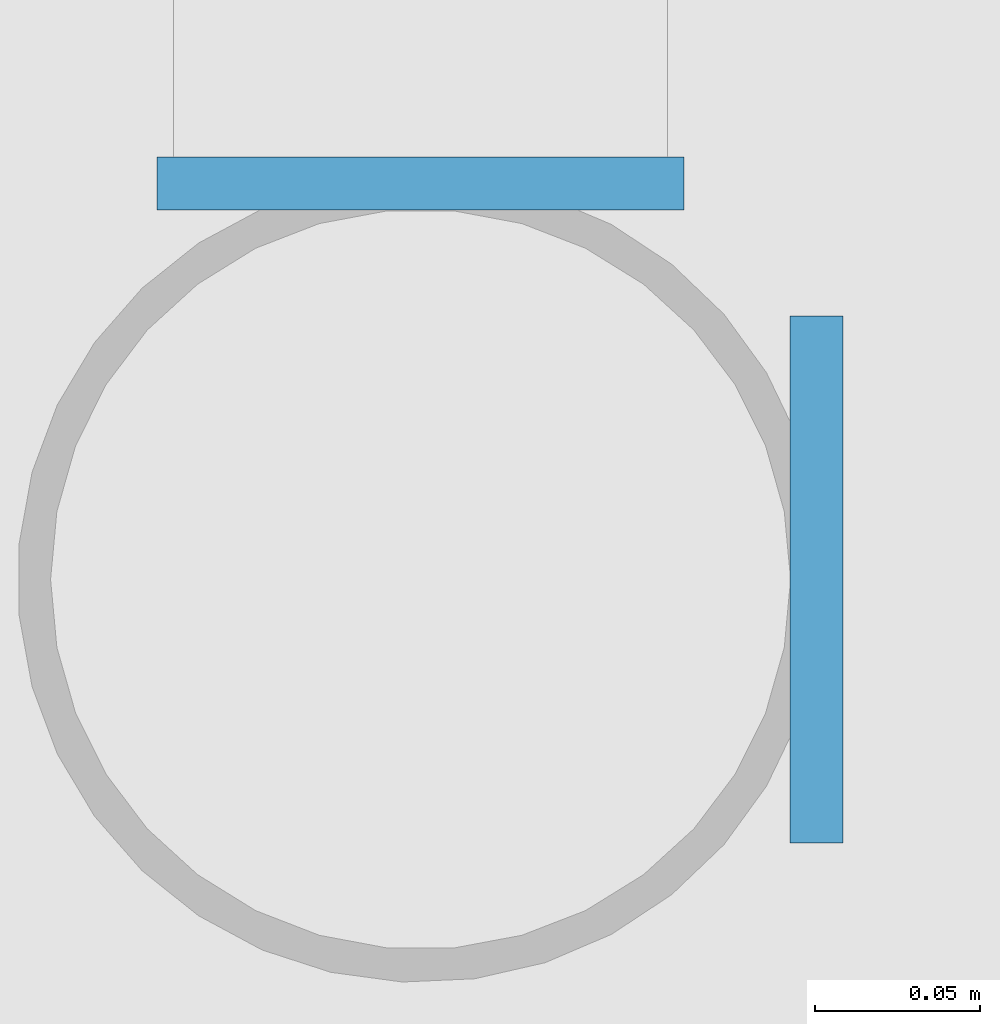
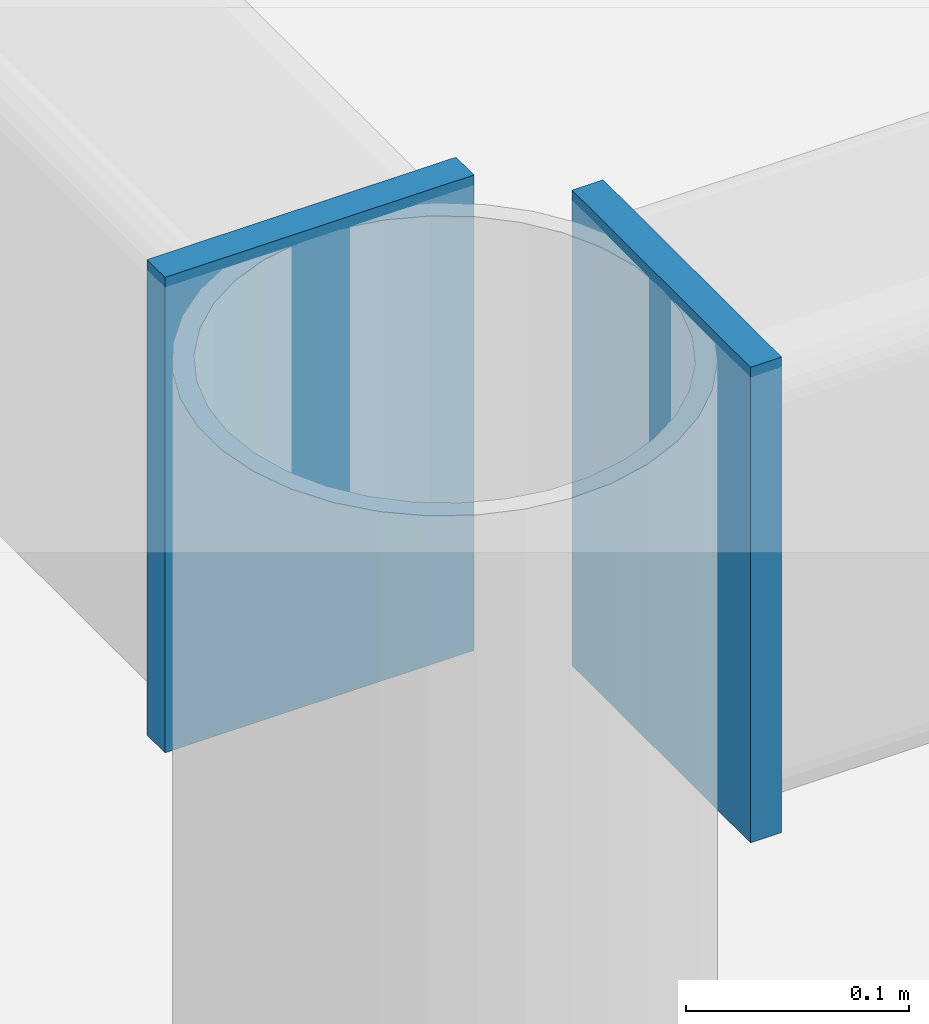
# One storey, part 45 of 76: 2 plates.
"""IFC4 building model written with IfcOpenShell, lengths in metres."""

from ifc_helpers import new_model, si_unit, direction, frame, origin, origin_2d, place, context, subcontext, project, spatial, rectangle, extrude, material, layer, layer_set, type_object, element, save


model = new_model("IFC4")

# Units and contexts
model_context = context("Model", 3, precision=1e-05, world=origin(), true_north=direction((0.0, 1.0)))
body_context = subcontext(model_context, "Body", "Model", "MODEL_VIEW")
ifc_project = project(units=[si_unit("LENGTHUNIT", "METRE"), si_unit("AREAUNIT", "SQUARE_METRE"), si_unit("VOLUMEUNIT", "CUBIC_METRE"), si_unit("PLANEANGLEUNIT", "RADIAN"), si_unit("MASSUNIT", "GRAM", prefix="KILO")], contexts=[model_context])

# Site, building, storey
site_placement = place(None, origin())
site = spatial("IfcSite", under=ifc_project, at=site_placement, CompositionType="ELEMENT")
building_placement = place(site_placement, origin())
building = spatial("IfcBuilding", under=site, at=building_placement, Name="Bozkorgan Art Gallery", CompositionType="ELEMENT")
storey_placement = place(building_placement, origin())
storey = spatial("IfcBuildingStorey", under=building, at=storey_placement, Name="L00", CompositionType="ELEMENT", Elevation=0.0)

# Plates
ifc_material = material(Name="Steel S355J2", Category="steel")
ifc_layer = layer(ifc_material, 0.01611328125, Name="Steel S355J2")
ifc_layer_set = layer_set([ifc_layer], Name="Steel S355J2")
plate_type = type_object("IfcPlateType", Name="PLATE-EC-14", PredefinedType="USERDEFINED", material=ifc_layer_set)
for number, where, z_axis, x_axis, name in (
    (1, (49.1201171875, 95.14990234375, 4.044921875), (0.0, 0.0, 1.0), (1.0, 0.0, 0.0), "North Sculpture-Court Covered Walk chord end cap 1.1"),
    (2, (49.0, 95.27001953125, 4.044921875), (0.0, 0.0, 1.0), (0.0, -1.0, 0.0), "North Sculpture-Court Covered Walk chord end cap 4.2"),
):
    element("IfcPlate", number, at=place(storey_placement, frame(where, z_axis=z_axis, x_axis=x_axis)), inside=storey, type_object=plate_type, Name=name, ObjectType="END CAP PLATE", PredefinedType="USERDEFINED", context=body_context, shape_type="SweptSolid", body=[
        extrude(rectangle(XDim=0.01611328125, YDim=0.159912109375, at=origin_2d()), origin(), (0.0, 0.0, 1.0), 0.260009765625),
    ])

save(model, "model.ifc")
